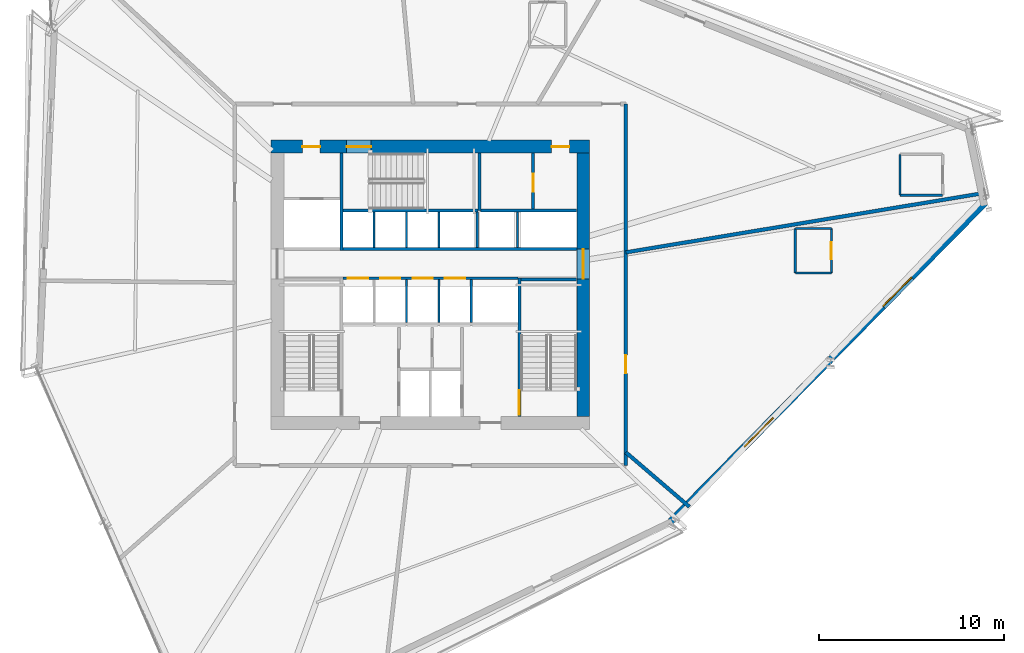
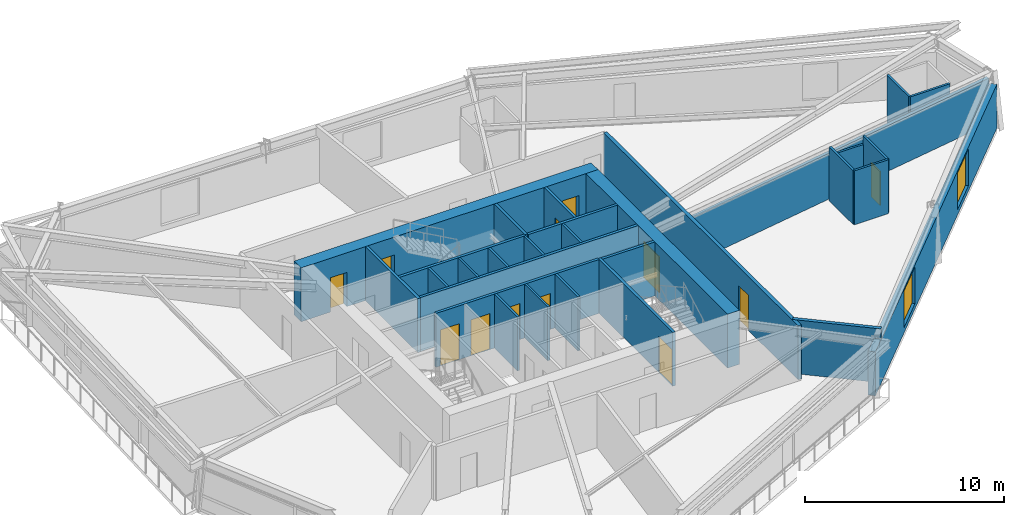
# One storey, part 14 of 19: 29 walls, 12 doors, 2 windows, 14 openings.
"""IFC4 building model written with IfcOpenShell, lengths in metres."""

from ifc_helpers import new_model, si_unit, direction, frame, frame_2d, origin, place, context, subcontext, project, spatial, rectangle, extrude, source, transform, mapped, material, layer, layer_set, type_object, type_shapes, element, fill, save


model = new_model("IFC4")

# Units and contexts
model_context = context("Model", 3, precision=1e-05, world=origin(), true_north=direction((0.0, 1.0)))
body_context = subcontext(model_context, "Body", "Model", "MODEL_VIEW")
ifc_project = project(units=[si_unit("LENGTHUNIT", "METRE"), si_unit("AREAUNIT", "SQUARE_METRE"), si_unit("VOLUMEUNIT", "CUBIC_METRE"), si_unit("PLANEANGLEUNIT", "RADIAN"), si_unit("MASSUNIT", "GRAM", prefix="KILO")], contexts=[model_context])

# Site, building, storey
site_placement = place(None, origin())
site = spatial("IfcSite", under=ifc_project, at=site_placement, CompositionType="ELEMENT")
building_placement = place(site_placement, origin())
building = spatial("IfcBuilding", under=site, at=building_placement, Name="Olszyna Solenne Hotel", CompositionType="ELEMENT")
storey_placement = place(building_placement, frame((0.0, 0.0, 84.39990234375)))
storey = spatial("IfcBuildingStorey", under=building, at=storey_placement, Name="L21", CompositionType="ELEMENT", Elevation=84.39990234375)

# Wall, openings, doors
ifc_material_1 = material(Name="Concrete C60/75", Category="concrete")
ifc_layer_1 = layer(ifc_material_1, 0.699951171875, Name="Concrete C60/75")
ifc_layer_set_1 = layer_set([ifc_layer_1], Name="Concrete C60/75")
wall_type_1 = type_object("IfcWallType", Name="WL-CR700", PredefinedType="SHEAR", material=ifc_layer_set_1)
wall_1_placement = place(storey_placement, frame((29.39990234375, 34.050048828125, 0.0), z_axis=(0.0, 0.0, 1.0), x_axis=(1.0, 0.0, 0.0)))
wall_1 = element("IfcWall", 1, at=wall_1_placement, inside=storey, type_object=wall_type_1, Name="Core shear wall WL-CR700 CRW-L21-N", PredefinedType="SHEAR", context=body_context, shape_type="SweptSolid", body=[
    extrude(rectangle(XDim=17.2001953125, YDim=0.699951171875, at=frame_2d((8.60009765625, 0.0))), origin(), (0.0, 0.0, 1.0), 3.300048828125),
])
opening_1_placement = place(wall_1_placement, frame((1.699951171875, 0.0, 0.0)))
opening_1 = element("IfcOpeningElement", 2, at=opening_1_placement, cuts=wall_1, Name="Opening SVD-L21-01", PredefinedType="OPENING", context=body_context, shape_type="SweptSolid", body=[
    extrude(rectangle(XDim=0.949951171875, YDim=2.10009765625, at=frame_2d((0.47509765625, 1.050048828125))), frame((0.0, 0.35986328125, 0.0), z_axis=(0.0, -1.0, 0.0), x_axis=(1.0, 0.0, 0.0)), (0.0, 0.0, 1.0), 0.719970703125),
])
opening_2_placement = place(wall_1_placement, frame((4.080078125, 0.0, 0.0)))
opening_2 = element("IfcOpeningElement", 3, at=opening_2_placement, cuts=wall_1, Name="Opening STD-L21-03", PredefinedType="OPENING", context=body_context, shape_type="SweptSolid", body=[
    extrude(rectangle(XDim=1.320068359375, YDim=2.199951171875, at=frame_2d((0.66015625, 1.10009765625))), frame((0.0, 0.35986328125, 0.0), z_axis=(0.0, -1.0, 0.0), x_axis=(1.0, 0.0, 0.0)), (0.0, 0.0, 1.0), 0.719970703125),
])
opening_3_placement = place(wall_1_placement, frame((15.14990234375, 0.0, 0.0)))
opening_3 = element("IfcOpeningElement", 4, at=opening_3_placement, cuts=wall_1, Name="Opening SVD-L21-BN", PredefinedType="OPENING", context=body_context, shape_type="SweptSolid", body=[
    extrude(rectangle(XDim=0.949951171875, YDim=2.10009765625, at=frame_2d((0.47509765625, 1.050048828125))), frame((0.0, 0.35986328125, 0.0), z_axis=(0.0, -1.0, 0.0), x_axis=(1.0, 0.0, 0.0)), (0.0, 0.0, 1.0), 0.719970703125),
])
ifc_material_2 = material(Name="Steel S355J2", Category="steel")
door_type_1 = type_object("IfcDoorType", Name="DR-ST1", OperationType="NOTDEFINED", PredefinedType="DOOR", material=ifc_material_2)
shared_shape_1 = source(origin(), body_context, "Body", "SweptSolid", [
    extrude(rectangle(XDim=1.320068359375, YDim=2.199951171875, at=frame_2d((0.66015625, 1.10009765625))), frame((0.0, 0.02490234375, 0.0), z_axis=(0.0, -1.0, 0.0), x_axis=(1.0, 0.0, 0.0)), (0.0, 0.0, 1.0), 0.050048828125),
])
type_shapes(door_type_1, [shared_shape_1])
door_1_placement = place(opening_2_placement, origin())
door_1 = element("IfcDoor", 5, at=door_1_placement, inside=storey, type_object=door_type_1, Name="Pressurised exit stair ST3 fire door STD-L21-03", OperationType="SINGLE_SWING_RIGHT", OverallHeight=2.199951171875, OverallWidth=1.320068359375, PredefinedType="DOOR", context=body_context, shape_type="MappedRepresentation", body=[
    mapped(shared_shape_1, transform((0.0, 0.0, 0.0), x_axis=(1.0, 0.0, 0.0), y_axis=(0.0, 1.0, 0.0), z_axis=(0.0, 0.0, 1.0), scale=1.0)),
])
fill(opening_2, door_1)
door_type_2 = type_object("IfcDoorType", Name="DR-SV1", OperationType="NOTDEFINED", PredefinedType="DOOR", material=ifc_material_2)
shared_shape_2 = source(origin(), body_context, "Body", "SweptSolid", [
    extrude(rectangle(XDim=0.949951171875, YDim=2.10009765625, at=frame_2d((0.47509765625, 1.050048828125))), frame((0.0, 0.02490234375, 0.0), z_axis=(0.0, -1.0, 0.0), x_axis=(1.0, 0.0, 0.0)), (0.0, 0.0, 1.0), 0.050048828125),
])
type_shapes(door_type_2, [shared_shape_2])
door_2_placement = place(opening_1_placement, origin())
door_2 = element("IfcDoor", 6, at=door_2_placement, inside=storey, type_object=door_type_2, Name="Service lift lobby fire door SVD-L21-01", OperationType="SINGLE_SWING_LEFT", OverallHeight=2.10009765625, OverallWidth=0.949951171875, PredefinedType="DOOR", context=body_context, shape_type="MappedRepresentation", body=[
    mapped(shared_shape_2, transform((0.0, 0.0, 0.0), x_axis=(1.0, 0.0, 0.0), y_axis=(0.0, 1.0, 0.0), z_axis=(0.0, 0.0, 1.0), scale=1.0)),
])
fill(opening_1, door_2)
door_3_placement = place(opening_3_placement, origin())
door_3 = element("IfcDoor", 7, at=door_3_placement, inside=storey, type_object=door_type_2, Name="Housekeeping core fire door SVD-L21-BN", OperationType="SINGLE_SWING_LEFT", OverallHeight=2.10009765625, OverallWidth=0.949951171875, PredefinedType="DOOR", context=body_context, shape_type="MappedRepresentation", body=[
    mapped(shared_shape_2, transform((0.0, 0.0, 0.0), x_axis=(1.0, 0.0, 0.0), y_axis=(0.0, 1.0, 0.0), z_axis=(0.0, 0.0, 1.0), scale=1.0)),
])
fill(opening_3, door_3)

# Wall, opening, door
wall_2_placement = place(storey_placement, frame((46.25, 33.699951171875, 0.0), z_axis=(0.0, 0.0, 1.0), x_axis=(0.0, -1.0, 0.0)))
wall_2 = element("IfcWall", 8, at=wall_2_placement, inside=storey, type_object=wall_type_1, Name="Core shear wall WL-CR700 CRW-L21-E", PredefinedType="SHEAR", context=body_context, shape_type="SweptSolid", body=[
    extrude(rectangle(XDim=14.199951171875, YDim=0.699951171875, at=frame_2d((7.10009765625, 0.0))), origin(), (0.0, 0.0, 1.0), 3.300048828125),
])
opening_4_placement = place(wall_2_placement, frame((5.179931640625, 0.0, 0.0)))
opening_4 = element("IfcOpeningElement", 9, at=opening_4_placement, cuts=wall_2, Name="Opening LHD-L21-E", PredefinedType="OPENING", context=body_context, shape_type="SweptSolid", body=[
    extrude(rectangle(XDim=1.60009765625, YDim=2.199951171875, at=frame_2d((0.800048828125, 1.10009765625))), frame((0.0, 0.35986328125, 0.0), z_axis=(0.0, -1.0, 0.0), x_axis=(1.0, 0.0, 0.0)), (0.0, 0.0, 1.0), 0.719970703125),
])
ifc_material_3 = material(Name="Timber hardwood", Category="wood")
door_type_3 = type_object("IfcDoorType", Name="DR-CR1", OperationType="DOUBLE_DOOR_SINGLE_SWING", PredefinedType="DOOR", material=ifc_material_3)
shared_shape_3 = source(origin(), body_context, "Body", "SweptSolid", [
    extrude(rectangle(XDim=1.60009765625, YDim=2.199951171875, at=frame_2d((0.800048828125, 1.10009765625))), frame((0.0, 0.02490234375, 0.0), z_axis=(0.0, -1.0, 0.0), x_axis=(1.0, 0.0, 0.0)), (0.0, 0.0, 1.0), 0.050048828125),
])
type_shapes(door_type_3, [shared_shape_3])
door_4_placement = place(opening_4_placement, origin())
door_4 = element("IfcDoor", 10, at=door_4_placement, inside=storey, type_object=door_type_3, Name="Passenger lift lobby East fire door LHD-L21-E", OperationType="DOUBLE_DOOR_SINGLE_SWING", OverallHeight=2.199951171875, OverallWidth=1.60009765625, PredefinedType="DOOR", context=body_context, shape_type="MappedRepresentation", body=[
    mapped(shared_shape_3, transform((0.0, 0.0, 0.0), x_axis=(1.0, 0.0, 0.0), y_axis=(0.0, 1.0, 0.0), z_axis=(0.0, 0.0, 1.0), scale=1.0)),
])
fill(opening_4, door_4)

# Wall, openings, windows
ifc_material_4 = material(Name="Terracotta cladding on precast concrete C45/55", Category="masonry")
ifc_layer_2 = layer(ifc_material_4, 0.3798828125, Name="Terracotta cladding on precast concrete C45/55")
ifc_layer_set_2 = layer_set([ifc_layer_2], Name="Terracotta cladding on precast concrete C45/55")
wall_type_2 = type_object("IfcWallType", Name="WL-EX380", PredefinedType="SOLIDWALL", material=ifc_layer_set_2)
wall_3_placement = place(storey_placement, frame((67.94580078125, 31.044677734375, 0.0), z_axis=(0.0, 0.0, 1.0), x_axis=(-0.701949653056, -0.712226568288, 0.0)))
wall_3 = element("IfcWall", 11, at=wall_3_placement, inside=storey, type_object=wall_type_2, Name="Exterior terracotta-precast frame wall WL-EX380 EW-L21-10", PredefinedType="SOLIDWALL", context=body_context, shape_type="SweptSolid", body=[
    extrude(rectangle(XDim=24.183837890625, YDim=0.3798828125, at=frame_2d((12.091796875, 0.0))), origin(), (0.0, 0.0, 1.0), 2.692138671875),
])
opening_5_placement = place(wall_3_placement, frame((5.6708984375, 0.0, 0.322021484375)))
opening_5 = element("IfcOpeningElement", 12, at=opening_5_placement, cuts=wall_3, Name="Opening WN-L21-113", PredefinedType="OPENING", context=body_context, shape_type="SweptSolid", body=[
    extrude(rectangle(XDim=2.199951171875, YDim=2.25, at=frame_2d((1.10009765625, 1.125))), frame((0.0, 0.199951171875, 0.0), z_axis=(0.0, -1.0, 0.0), x_axis=(1.0, 0.0, 0.0)), (0.0, 0.0, 1.0), 0.39990234375),
])
opening_6_placement = place(wall_3_placement, frame((16.31201171875, 0.0, 0.322021484375)))
opening_6 = element("IfcOpeningElement", 13, at=opening_6_placement, cuts=wall_3, Name="Opening WN-L21-114", PredefinedType="OPENING", context=body_context, shape_type="SweptSolid", body=[
    extrude(rectangle(XDim=2.199951171875, YDim=2.25, at=frame_2d((1.10009765625, 1.125))), frame((0.0, 0.199951171875, 0.0), z_axis=(0.0, -1.0, 0.0), x_axis=(1.0, 0.0, 0.0)), (0.0, 0.0, 1.0), 0.39990234375),
])
ifc_material_5 = material(Name="Low-E triple glazing", Category="glass")
window_type = type_object("IfcWindowType", Name="WN-HT2", PartitioningType="SINGLE_PANEL", PredefinedType="WINDOW", material=ifc_material_5)
shared_shape_4 = source(origin(), body_context, "Body", "SweptSolid", [
    extrude(rectangle(XDim=2.199951171875, YDim=2.25, at=frame_2d((1.10009765625, 1.125))), frame((0.0, 0.030029296875, 0.0), z_axis=(0.0, -1.0, 0.0), x_axis=(1.0, 0.0, 0.0)), (0.0, 0.0, 1.0), 0.06005859375),
])
type_shapes(window_type, [shared_shape_4])
window_1_placement = place(opening_5_placement, origin())
window_1 = element("IfcWindow", 14, at=window_1_placement, inside=storey, type_object=window_type, Name="Exterior facade window WN-HT2 WN-L21-113", OverallHeight=2.25, OverallWidth=2.199951171875, PartitioningType="SINGLE_PANEL", PredefinedType="WINDOW", context=body_context, shape_type="MappedRepresentation", body=[
    mapped(shared_shape_4, transform((0.0, 0.0, 0.0), x_axis=(1.0, 0.0, 0.0), y_axis=(0.0, 1.0, 0.0), z_axis=(0.0, 0.0, 1.0), scale=1.0)),
])
fill(opening_5, window_1)
window_2_placement = place(opening_6_placement, origin())
window_2 = element("IfcWindow", 15, at=window_2_placement, inside=storey, type_object=window_type, Name="Exterior facade window WN-HT2 WN-L21-114", OverallHeight=2.25, OverallWidth=2.199951171875, PartitioningType="SINGLE_PANEL", PredefinedType="WINDOW", context=body_context, shape_type="MappedRepresentation", body=[
    mapped(shared_shape_4, transform((0.0, 0.0, 0.0), x_axis=(1.0, 0.0, 0.0), y_axis=(0.0, 1.0, 0.0), z_axis=(0.0, 0.0, 1.0), scale=1.0)),
])
fill(opening_6, window_2)

# Walls
ifc_material_6 = material(Name="Acoustic gypsum partition", Category="gypsum")
ifc_layer_3 = layer(ifc_material_6, 0.125, Name="Acoustic gypsum partition")
ifc_layer_set_3 = layer_set([ifc_layer_3], Name="Acoustic gypsum partition")
wall_type_3 = type_object("IfcWallType", Name="WL-PT125", PredefinedType="PARTITIONING", material=ifc_layer_set_3)
for number, where, z_axis, x_axis, name in (
    (16, (36.715087890625, 24.56005859375, 0.0), (0.0, 0.0, 1.0), (0.0, 1.0, 0.0), "Core shaft compartment wall CW-L21-DIVS367"),
    (17, (38.465087890625, 24.56005859375, 0.0), (0.0, 0.0, 1.0), (0.0, 1.0, 0.0), "Core shaft compartment wall CW-L21-DIVS384"),
    (18, (40.215087890625, 24.56005859375, 0.0), (0.0, 0.0, 1.0), (0.0, 1.0, 0.0), "Core shaft compartment wall CW-L21-DIVS402"),
):
    element("IfcWall", number, at=place(storey_placement, frame(where, z_axis=z_axis, x_axis=x_axis)), inside=storey, type_object=wall_type_3, Name=name, PredefinedType="PARTITIONING", context=body_context, shape_type="SweptSolid", body=[
        extrude(rectangle(XDim=2.31005859375, YDim=0.125, at=frame_2d((1.155029296875, 0.0))), origin(), (0.0, 0.0, 1.0), 3.300048828125),
    ])
for number, where, z_axis, x_axis, name in (
    (19, (34.965087890625, 28.60009765625, 0.0), (0.0, 0.0, 1.0), (0.0, 1.0, 0.0), "Core shaft compartment wall CW-L21-DIVN349"),
    (20, (36.715087890625, 28.60009765625, 0.0), (0.0, 0.0, 1.0), (0.0, 1.0, 0.0), "Core shaft compartment wall CW-L21-DIVN367"),
    (21, (38.465087890625, 28.60009765625, 0.0), (0.0, 0.0, 1.0), (0.0, 1.0, 0.0), "Core shaft compartment wall CW-L21-DIVN384"),
    (22, (40.52490234375, 28.60009765625, 0.0), (0.0, 0.0, 1.0), (0.0, 1.0, 0.0), "Core shaft compartment wall CW-L21-DIVEX405"),
    (23, (42.699951171875, 28.60009765625, 0.0), (0.0, 0.0, 1.0), (0.0, 1.0, 0.0), "Core shaft compartment wall CW-L21-DIVEX427"),
):
    element("IfcWall", number, at=place(storey_placement, frame(where, z_axis=z_axis, x_axis=x_axis)), inside=storey, type_object=wall_type_3, Name=name, PredefinedType="PARTITIONING", context=body_context, shape_type="SweptSolid", body=[
        extrude(rectangle(XDim=1.919921875, YDim=0.125, at=frame_2d((0.9599609375, 0.0))), origin(), (0.0, 0.0, 1.0), 3.300048828125),
    ])

# Wall, opening, door
wall_4_placement = place(storey_placement, frame((59.638916015625, 27.23193359375, 0.0), z_axis=(0.0, 0.0, 1.0), x_axis=(0.0, 1.0, 0.0)))
wall_4 = element("IfcWall", 24, at=wall_4_placement, inside=storey, type_object=wall_type_3, Name="Interior acoustic partition WL-PT125 PW-L21-1179", PredefinedType="PARTITIONING", context=body_context, shape_type="SweptSolid", body=[
    extrude(rectangle(XDim=2.400146484375, YDim=0.125, at=frame_2d((1.2001953125, 0.0))), origin(), (0.0, 0.0, 1.0), 3.300048828125),
])
opening_7_placement = place(wall_4_placement, frame((0.75, 0.0, 0.0)))
opening_7 = element("IfcOpeningElement", 25, at=opening_7_placement, cuts=wall_4, Name="Opening DR-L21-0269", PredefinedType="OPENING", context=body_context, shape_type="SweptSolid", body=[
    extrude(rectangle(XDim=0.89990234375, YDim=2.10009765625, at=frame_2d((0.449951171875, 1.050048828125))), frame((0.0, 0.072509765625, 0.0), z_axis=(0.0, -1.0, 0.0), x_axis=(1.0, 0.0, 0.0)), (0.0, 0.0, 1.0), 0.14501953125),
])
door_type_4 = type_object("IfcDoorType", Name="DR-WC1", OperationType="NOTDEFINED", PredefinedType="DOOR", material=ifc_material_3)
shared_shape_5 = source(origin(), body_context, "Body", "SweptSolid", [
    extrude(rectangle(XDim=0.89990234375, YDim=2.10009765625, at=frame_2d((0.449951171875, 1.050048828125))), frame((0.0, 0.02490234375, 0.0), z_axis=(0.0, -1.0, 0.0), x_axis=(1.0, 0.0, 0.0)), (0.0, 0.0, 1.0), 0.050048828125),
])
type_shapes(door_type_4, [shared_shape_5])
door_5_placement = place(opening_7_placement, origin())
door_5 = element("IfcDoor", 26, at=door_5_placement, inside=storey, type_object=door_type_4, Name="En-Suite Bathroom Door DR-L21-0269", OperationType="SINGLE_SWING_RIGHT", OverallHeight=2.10009765625, OverallWidth=0.89990234375, PredefinedType="DOOR", context=body_context, shape_type="MappedRepresentation", body=[
    mapped(shared_shape_5, transform((0.0, 0.0, 0.0), x_axis=(1.0, 0.0, 0.0), y_axis=(0.0, 1.0, 0.0), z_axis=(0.0, 0.0, 1.0), scale=1.0)),
])
fill(opening_7, door_5)

# Walls
wall_5_placement = place(storey_placement, frame((59.638916015625, 29.632080078125, 0.0), z_axis=(0.0, 0.0, 1.0), x_axis=(-1.0, 0.0, 0.0)))
element("IfcWall", 27, at=wall_5_placement, inside=storey, type_object=wall_type_3, Name="Interior acoustic partition WL-PT125 PW-L21-1180", PredefinedType="PARTITIONING", context=body_context, shape_type="SweptSolid", body=[
    extrude(rectangle(XDim=1.949951171875, YDim=0.125, at=frame_2d((0.97509765625, 0.0))), origin(), (0.0, 0.0, 1.0), 2.795166015625),
])
wall_6_placement = place(storey_placement, frame((57.68896484375, 29.632080078125, 0.0), z_axis=(0.0, 0.0, 1.0), x_axis=(0.0, -1.0, 0.0)))
element("IfcWall", 28, at=wall_6_placement, inside=storey, type_object=wall_type_3, Name="Interior acoustic partition WL-PT125 PW-L21-1181", PredefinedType="PARTITIONING", context=body_context, shape_type="SweptSolid", body=[
    extrude(rectangle(XDim=2.400146484375, YDim=0.125, at=frame_2d((1.2001953125, 0.0))), origin(), (0.0, 0.0, 1.0), 3.300048828125),
])
wall_7_placement = place(storey_placement, frame((57.68896484375, 27.23193359375, 0.0), z_axis=(0.0, 0.0, 1.0), x_axis=(1.0, 0.0, 0.0)))
element("IfcWall", 29, at=wall_7_placement, inside=storey, type_object=wall_type_3, Name="Interior acoustic partition WL-PT125 PW-L21-1182", PredefinedType="PARTITIONING", context=body_context, shape_type="SweptSolid", body=[
    extrude(rectangle(XDim=1.949951171875, YDim=0.125, at=frame_2d((0.97509765625, 0.0))), origin(), (0.0, 0.0, 1.0), 3.300048828125),
])
wall_8_placement = place(storey_placement, frame((63.337890625, 33.634033203125, 0.0), z_axis=(0.0, 0.0, 1.0), x_axis=(0.0, -1.0, 0.0)))
element("IfcWall", 30, at=wall_8_placement, inside=storey, type_object=wall_type_3, Name="Interior acoustic partition WL-PT125 PW-L21-1185", PredefinedType="PARTITIONING", context=body_context, shape_type="SweptSolid", body=[
    extrude(rectangle(XDim=2.199951171875, YDim=0.125, at=frame_2d((1.10009765625, 0.0))), origin(), (0.0, 0.0, 1.0), 3.300048828125),
])
wall_9_placement = place(storey_placement, frame((63.337890625, 31.43408203125, 0.0), z_axis=(0.0, 0.0, 1.0), x_axis=(1.0, 0.0, 0.0)))
element("IfcWall", 31, at=wall_9_placement, inside=storey, type_object=wall_type_3, Name="Interior acoustic partition WL-PT125 PW-L21-1186", PredefinedType="PARTITIONING", context=body_context, shape_type="SweptSolid", body=[
    extrude(rectangle(XDim=2.300048828125, YDim=0.125, at=frame_2d((1.14990234375, 0.0))), origin(), (0.0, 0.0, 1.0), 3.300048828125),
])

# Wall, opening, door
ifc_layer_4 = layer(ifc_material_6, 0.159912109375, Name="Acoustic gypsum partition")
ifc_layer_set_4 = layer_set([ifc_layer_4], Name="Acoustic gypsum partition")
wall_type_4 = type_object("IfcWallType", Name="WL-PT160", PredefinedType="PARTITIONING", material=ifc_layer_set_4)
wall_10_placement = place(storey_placement, frame((42.800048828125, 26.9599609375, 0.0), z_axis=(0.0, 0.0, 1.0), x_axis=(0.0, -1.0, 0.0)))
wall_10 = element("IfcWall", 32, at=wall_10_placement, inside=storey, type_object=wall_type_4, Name="Core shaft compartment wall CW-L21-ST2W", PredefinedType="PARTITIONING", context=body_context, shape_type="SweptSolid", body=[
    extrude(rectangle(XDim=7.4599609375, YDim=0.159912109375, at=frame_2d((3.72998046875, 0.0))), origin(), (0.0, 0.0, 1.0), 3.300048828125),
])
opening_8_placement = place(wall_10_placement, frame((6.06005859375, 0.0, 0.0)))
opening_8 = element("IfcOpeningElement", 33, at=opening_8_placement, cuts=wall_10, Name="Opening STD-L21-02", PredefinedType="OPENING", context=body_context, shape_type="SweptSolid", body=[
    extrude(rectangle(XDim=1.320068359375, YDim=2.199951171875, at=frame_2d((0.66015625, 1.10009765625))), frame((0.0, 0.08984375, 0.0), z_axis=(0.0, -1.0, 0.0), x_axis=(1.0, 0.0, 0.0)), (0.0, 0.0, 1.0), 0.179931640625),
])
door_6_placement = place(opening_8_placement, origin())
door_6 = element("IfcDoor", 34, at=door_6_placement, inside=storey, type_object=door_type_1, Name="Pressurised exit stair ST2 fire door STD-L21-02", OperationType="SINGLE_SWING_RIGHT", OverallHeight=2.199951171875, OverallWidth=1.320068359375, PredefinedType="DOOR", context=body_context, shape_type="MappedRepresentation", body=[
    mapped(shared_shape_1, transform((0.0, 0.0, 0.0), x_axis=(1.0, 0.0, 0.0), y_axis=(0.0, 1.0, 0.0), z_axis=(0.0, 0.0, 1.0), scale=1.0)),
])
fill(opening_8, door_6)

# Walls
wall_11_placement = place(storey_placement, frame((42.8798828125, 26.8798828125, 0.0), z_axis=(0.0, 0.0, 1.0), x_axis=(1.0, 0.0, 0.0)))
element("IfcWall", 35, at=wall_11_placement, inside=storey, type_object=wall_type_4, Name="Core shaft compartment wall CW-L21-ST2N", PredefinedType="PARTITIONING", context=body_context, shape_type="SweptSolid", body=[
    extrude(rectangle(XDim=3.02001953125, YDim=0.159912109375, at=frame_2d((1.510009765625, 0.0))), origin(), (0.0, 0.0, 1.0), 3.300048828125),
])
wall_12_placement = place(storey_placement, frame((33.280029296875, 30.60009765625, 0.0), z_axis=(0.0, 0.0, 1.0), x_axis=(1.0, 0.0, 0.0)))
element("IfcWall", 36, at=wall_12_placement, inside=storey, type_object=wall_type_4, Name="Core shaft compartment wall CW-L21-ST3S", PredefinedType="PARTITIONING", context=body_context, shape_type="SweptSolid", body=[
    extrude(rectangle(XDim=7.300048828125, YDim=0.159912109375, at=frame_2d((3.64990234375, 0.0))), origin(), (0.0, 0.0, 1.0), 3.300048828125),
])
wall_13_placement = place(storey_placement, frame((40.659912109375, 30.60009765625, 0.0), z_axis=(0.0, 0.0, 1.0), x_axis=(0.0, 1.0, 0.0)))
element("IfcWall", 37, at=wall_13_placement, inside=storey, type_object=wall_type_4, Name="Core shaft compartment wall CW-L21-ST3E", PredefinedType="PARTITIONING", context=body_context, shape_type="SweptSolid", body=[
    extrude(rectangle(XDim=3.099853515625, YDim=0.159912109375, at=frame_2d((1.5498046875, 0.0))), origin(), (0.0, 0.0, 1.0), 3.300048828125),
])
wall_14_placement = place(storey_placement, frame((33.199951171875, 28.43994140625, 0.0), z_axis=(0.0, 0.0, 1.0), x_axis=(0.0, 1.0, 0.0)))
element("IfcWall", 38, at=wall_14_placement, inside=storey, type_object=wall_type_4, Name="Core shaft compartment wall CW-L21-SV1E", PredefinedType="PARTITIONING", context=body_context, shape_type="SweptSolid", body=[
    extrude(rectangle(XDim=5.260009765625, YDim=0.159912109375, at=frame_2d((2.6298828125, 0.0))), origin(), (0.0, 0.0, 1.0), 3.300048828125),
])

# Wall, openings, doors
wall_15_placement = place(storey_placement, frame((33.280029296875, 26.949951171875, 0.0), z_axis=(0.0, 0.0, 1.0), x_axis=(1.0, 0.0, 0.0)))
wall_15 = element("IfcWall", 39, at=wall_15_placement, inside=storey, type_object=wall_type_4, Name="Core shaft compartment wall CW-L21-LRS", PredefinedType="PARTITIONING", context=body_context, shape_type="SweptSolid", body=[
    extrude(rectangle(XDim=9.43994140625, YDim=0.159912109375, at=frame_2d((4.719970703125, 0.0))), origin(), (0.0, 0.0, 1.0), 3.300048828125),
])
opening_9_placement = place(wall_15_placement, frame((0.260009765625, 0.0, 0.0)))
opening_9 = element("IfcOpeningElement", 40, at=opening_9_placement, cuts=wall_15, Name="Opening LD-L21-PL1", PredefinedType="OPENING", context=body_context, shape_type="SweptSolid", body=[
    extrude(rectangle(XDim=1.10009765625, YDim=2.199951171875, at=frame_2d((0.550048828125, 1.10009765625))), frame((0.0, 0.08984375, 0.0), z_axis=(0.0, -1.0, 0.0), x_axis=(1.0, 0.0, 0.0)), (0.0, 0.0, 1.0), 0.179931640625),
])
opening_10_placement = place(wall_15_placement, frame((2.010009765625, 0.0, 0.0)))
opening_10 = element("IfcOpeningElement", 41, at=opening_10_placement, cuts=wall_15, Name="Opening LD-L21-PL2", PredefinedType="OPENING", context=body_context, shape_type="SweptSolid", body=[
    extrude(rectangle(XDim=1.10009765625, YDim=2.199951171875, at=frame_2d((0.550048828125, 1.10009765625))), frame((0.0, 0.08984375, 0.0), z_axis=(0.0, -1.0, 0.0), x_axis=(1.0, 0.0, 0.0)), (0.0, 0.0, 1.0), 0.179931640625),
])
opening_11_placement = place(wall_15_placement, frame((3.760009765625, 0.0, 0.0)))
opening_11 = element("IfcOpeningElement", 42, at=opening_11_placement, cuts=wall_15, Name="Opening LD-L21-PL3", PredefinedType="OPENING", context=body_context, shape_type="SweptSolid", body=[
    extrude(rectangle(XDim=1.10009765625, YDim=2.199951171875, at=frame_2d((0.550048828125, 1.10009765625))), frame((0.0, 0.08984375, 0.0), z_axis=(0.0, -1.0, 0.0), x_axis=(1.0, 0.0, 0.0)), (0.0, 0.0, 1.0), 0.179931640625),
])
opening_12_placement = place(wall_15_placement, frame((5.510009765625, 0.0, 0.0)))
opening_12 = element("IfcOpeningElement", 43, at=opening_12_placement, cuts=wall_15, Name="Opening LD-L21-PL4", PredefinedType="OPENING", context=body_context, shape_type="SweptSolid", body=[
    extrude(rectangle(XDim=1.10009765625, YDim=2.199951171875, at=frame_2d((0.550048828125, 1.10009765625))), frame((0.0, 0.08984375, 0.0), z_axis=(0.0, -1.0, 0.0), x_axis=(1.0, 0.0, 0.0)), (0.0, 0.0, 1.0), 0.179931640625),
])
door_type_5 = type_object("IfcDoorType", Name="LD-P1", OperationType="DOUBLE_DOOR_SLIDING", PredefinedType="DOOR", material=ifc_material_2)
shared_shape_6 = source(origin(), body_context, "Body", "SweptSolid", [
    extrude(rectangle(XDim=1.10009765625, YDim=2.199951171875, at=frame_2d((0.550048828125, 1.10009765625))), frame((0.0, 0.02490234375, 0.0), z_axis=(0.0, -1.0, 0.0), x_axis=(1.0, 0.0, 0.0)), (0.0, 0.0, 1.0), 0.050048828125),
])
type_shapes(door_type_5, [shared_shape_6])
door_7_placement = place(opening_9_placement, origin())
door_7 = element("IfcDoor", 44, at=door_7_placement, inside=storey, type_object=door_type_5, Name="Passenger lift PL1 sliding landing door LD-L21-PL1", OperationType="DOUBLE_DOOR_SLIDING", OverallHeight=2.199951171875, OverallWidth=1.10009765625, PredefinedType="DOOR", context=body_context, shape_type="MappedRepresentation", body=[
    mapped(shared_shape_6, transform((0.0, 0.0, 0.0), x_axis=(1.0, 0.0, 0.0), y_axis=(0.0, 1.0, 0.0), z_axis=(0.0, 0.0, 1.0), scale=1.0)),
])
fill(opening_9, door_7)
door_8_placement = place(opening_10_placement, origin())
door_8 = element("IfcDoor", 45, at=door_8_placement, inside=storey, type_object=door_type_5, Name="Passenger lift PL2 sliding landing door LD-L21-PL2", OperationType="DOUBLE_DOOR_SLIDING", OverallHeight=2.199951171875, OverallWidth=1.10009765625, PredefinedType="DOOR", context=body_context, shape_type="MappedRepresentation", body=[
    mapped(shared_shape_6, transform((0.0, 0.0, 0.0), x_axis=(1.0, 0.0, 0.0), y_axis=(0.0, 1.0, 0.0), z_axis=(0.0, 0.0, 1.0), scale=1.0)),
])
fill(opening_10, door_8)
door_9_placement = place(opening_11_placement, origin())
door_9 = element("IfcDoor", 46, at=door_9_placement, inside=storey, type_object=door_type_5, Name="Passenger lift PL3 sliding landing door LD-L21-PL3", OperationType="DOUBLE_DOOR_SLIDING", OverallHeight=2.199951171875, OverallWidth=1.10009765625, PredefinedType="DOOR", context=body_context, shape_type="MappedRepresentation", body=[
    mapped(shared_shape_6, transform((0.0, 0.0, 0.0), x_axis=(1.0, 0.0, 0.0), y_axis=(0.0, 1.0, 0.0), z_axis=(0.0, 0.0, 1.0), scale=1.0)),
])
fill(opening_11, door_9)
door_10_placement = place(opening_12_placement, origin())
door_10 = element("IfcDoor", 47, at=door_10_placement, inside=storey, type_object=door_type_5, Name="Passenger lift PL4 sliding landing door LD-L21-PL4", OperationType="DOUBLE_DOOR_SLIDING", OverallHeight=2.199951171875, OverallWidth=1.10009765625, PredefinedType="DOOR", context=body_context, shape_type="MappedRepresentation", body=[
    mapped(shared_shape_6, transform((0.0, 0.0, 0.0), x_axis=(1.0, 0.0, 0.0), y_axis=(0.0, 1.0, 0.0), z_axis=(0.0, 0.0, 1.0), scale=1.0)),
])
fill(opening_12, door_10)

# Walls
wall_16_placement = place(storey_placement, frame((33.280029296875, 28.5400390625, 0.0), z_axis=(0.0, 0.0, 1.0), x_axis=(1.0, 0.0, 0.0)))
element("IfcWall", 48, at=wall_16_placement, inside=storey, type_object=wall_type_4, Name="Core shaft compartment wall CW-L21-LRN", PredefinedType="PARTITIONING", context=body_context, shape_type="SweptSolid", body=[
    extrude(rectangle(XDim=12.619873046875, YDim=0.159912109375, at=frame_2d((6.31005859375, 0.0))), origin(), (0.0, 0.0, 1.0), 3.300048828125),
])
wall_17_placement = place(storey_placement, frame((40.719970703125, 30.60009765625, 0.0), z_axis=(0.0, 0.0, 1.0), x_axis=(1.0, 0.0, 0.0)))
element("IfcWall", 49, at=wall_17_placement, inside=storey, type_object=wall_type_4, Name="Core shaft compartment wall CW-L21-LRNTOP", PredefinedType="PARTITIONING", context=body_context, shape_type="SweptSolid", body=[
    extrude(rectangle(XDim=5.179931640625, YDim=0.159912109375, at=frame_2d((2.58984375, 0.0))), origin(), (0.0, 0.0, 1.0), 3.300048828125),
])

# Wall, opening, door
wall_18_placement = place(storey_placement, frame((43.550048828125, 30.679931640625, 0.0), z_axis=(0.0, 0.0, 1.0), x_axis=(0.0, 1.0, 0.0)))
wall_18 = element("IfcWall", 50, at=wall_18_placement, inside=storey, type_object=wall_type_4, Name="Core shaft compartment wall CW-L21-BOH1", PredefinedType="PARTITIONING", context=body_context, shape_type="SweptSolid", body=[
    extrude(rectangle(XDim=3.02001953125, YDim=0.159912109375, at=frame_2d((1.510009765625, 0.0))), origin(), (0.0, 0.0, 1.0), 3.300048828125),
])
opening_13_placement = place(wall_18_placement, frame((0.949951171875, 0.0, 0.0)))
opening_13 = element("IfcOpeningElement", 51, at=opening_13_placement, cuts=wall_18, Name="Opening SVD-L21-BI1", PredefinedType="OPENING", context=body_context, shape_type="SweptSolid", body=[
    extrude(rectangle(XDim=0.949951171875, YDim=2.10009765625, at=frame_2d((0.47509765625, 1.050048828125))), frame((0.0, 0.08984375, 0.0), z_axis=(0.0, -1.0, 0.0), x_axis=(1.0, 0.0, 0.0)), (0.0, 0.0, 1.0), 0.179931640625),
])
door_11_placement = place(opening_13_placement, origin())
door_11 = element("IfcDoor", 52, at=door_11_placement, inside=storey, type_object=door_type_2, Name="BOH inter-room fire door SVD-L21-BI1", OperationType="SINGLE_SWING_LEFT", OverallHeight=2.10009765625, OverallWidth=0.949951171875, PredefinedType="DOOR", context=body_context, shape_type="MappedRepresentation", body=[
    mapped(shared_shape_2, transform((0.0, 0.0, 0.0), x_axis=(1.0, 0.0, 0.0), y_axis=(0.0, 1.0, 0.0), z_axis=(0.0, 0.0, 1.0), scale=1.0)),
])
fill(opening_13, door_11)

# Walls
ifc_layer_5 = layer(ifc_material_6, 0.199951171875, Name="Acoustic gypsum partition")
ifc_layer_set_5 = layer_set([ifc_layer_5], Name="Acoustic gypsum partition")
wall_type_5 = type_object("IfcWallType", Name="WL-PT200", PredefinedType="PARTITIONING", material=ifc_layer_set_5)
wall_19_placement = place(storey_placement, frame((48.550048828125, 17.5576171875, 0.0), z_axis=(0.0, 0.0, 1.0), x_axis=(0.75925278781, -0.650795823744, 0.0)))
element("IfcWall", 53, at=wall_19_placement, inside=storey, type_object=wall_type_5, Name="Interior acoustic partition WL-PT200 PW-L21-1176", PredefinedType="PARTITIONING", context=body_context, shape_type="SweptSolid", body=[
    extrude(rectangle(XDim=4.517822265625, YDim=0.199951171875, at=frame_2d((2.2587890625, 0.0))), origin(), (0.0, 0.0, 1.0), 3.300048828125),
])
wall_20_placement = place(storey_placement, frame((48.550048828125, 28.346435546875, 0.0), z_axis=(0.0, 0.0, 1.0), x_axis=(0.986571835932, 0.163327929471, 0.0)))
element("IfcWall", 54, at=wall_20_placement, inside=storey, type_object=wall_type_5, Name="Interior acoustic partition WL-PT200 PW-L21-1177", PredefinedType="PARTITIONING", context=body_context, shape_type="SweptSolid", body=[
    extrude(rectangle(XDim=19.629638671875, YDim=0.199951171875, at=frame_2d((9.81494140625, 0.0))), origin(), (0.0, 0.0, 1.0), 2.795166015625),
])

# Wall, opening, door
wall_21_placement = place(storey_placement, frame((48.550048828125, 16.85009765625, 0.0), z_axis=(0.0, 0.0, 1.0), x_axis=(0.0, 1.0, 0.0)))
wall_21 = element("IfcWall", 55, at=wall_21_placement, inside=storey, type_object=wall_type_5, Name="Interior acoustic partition WL-PT200 PW-L21-1194", PredefinedType="PARTITIONING", context=body_context, shape_type="SweptSolid", body=[
    extrude(rectangle(XDim=19.5, YDim=0.199951171875, at=frame_2d((9.75, 0.0))), origin(), (0.0, 0.0, 1.0), 3.300048828125),
])
opening_14_placement = place(wall_21_placement, frame((4.971923828125, 0.0, 0.0)))
opening_14 = element("IfcOpeningElement", 56, at=opening_14_placement, cuts=wall_21, Name="Opening DR-L21-0279", PredefinedType="OPENING", context=body_context, shape_type="SweptSolid", body=[
    extrude(rectangle(XDim=0.97998046875, YDim=2.14990234375, at=frame_2d((0.489990234375, 1.074951171875))), frame((0.0, 0.10986328125, 0.0), z_axis=(0.0, -1.0, 0.0), x_axis=(1.0, 0.0, 0.0)), (0.0, 0.0, 1.0), 0.219970703125),
])
door_type_6 = type_object("IfcDoorType", Name="DR-RM1", OperationType="NOTDEFINED", PredefinedType="DOOR", material=ifc_material_3)
shared_shape_7 = source(origin(), body_context, "Body", "SweptSolid", [
    extrude(rectangle(XDim=0.97998046875, YDim=2.14990234375, at=frame_2d((0.489990234375, 1.074951171875))), frame((0.0, 0.02490234375, 0.0), z_axis=(0.0, -1.0, 0.0), x_axis=(1.0, 0.0, 0.0)), (0.0, 0.0, 1.0), 0.050048828125),
])
type_shapes(door_type_6, [shared_shape_7])
door_12_placement = place(opening_14_placement, origin())
door_12 = element("IfcDoor", 57, at=door_12_placement, inside=storey, type_object=door_type_6, Name="Deluxe Hotel Guestroom Entrance Door DR-L21-0279", OperationType="SINGLE_SWING_LEFT", OverallHeight=2.14990234375, OverallWidth=0.97998046875, PredefinedType="DOOR", context=body_context, shape_type="MappedRepresentation", body=[
    mapped(shared_shape_7, transform((0.0, 0.0, 0.0), x_axis=(1.0, 0.0, 0.0), y_axis=(0.0, 1.0, 0.0), z_axis=(0.0, 0.0, 1.0), scale=1.0)),
])
fill(opening_14, door_12)

save(model, "model.ifc")
